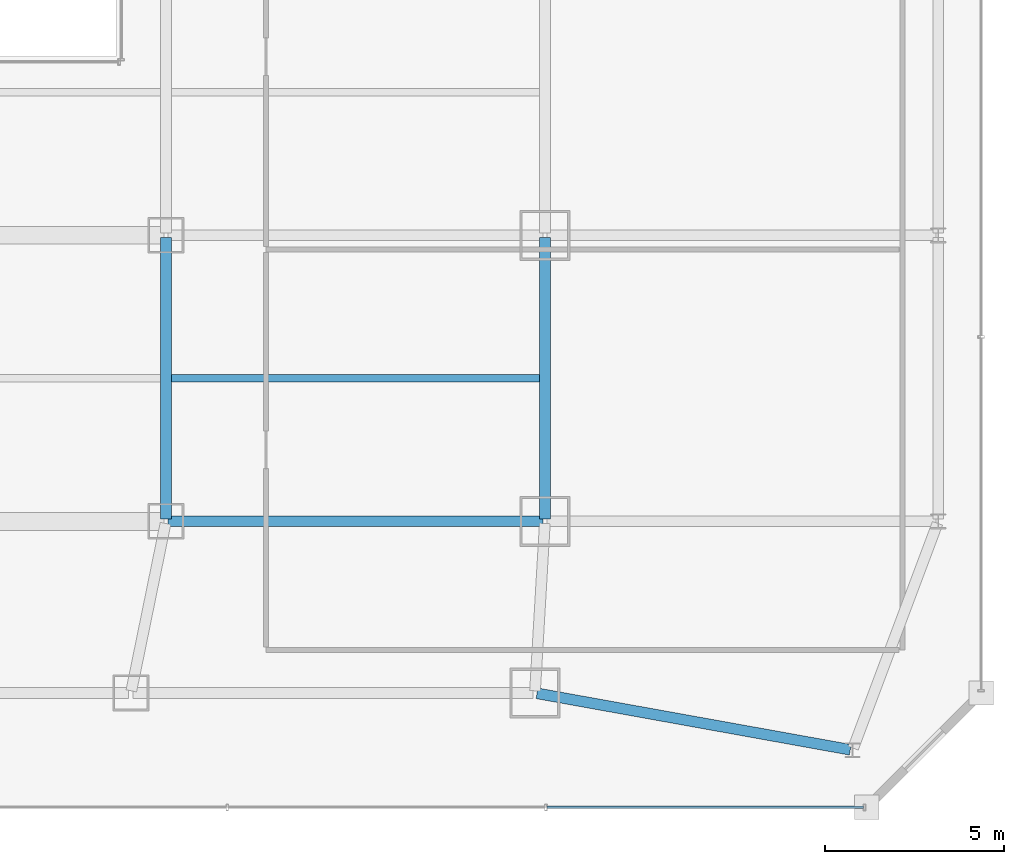
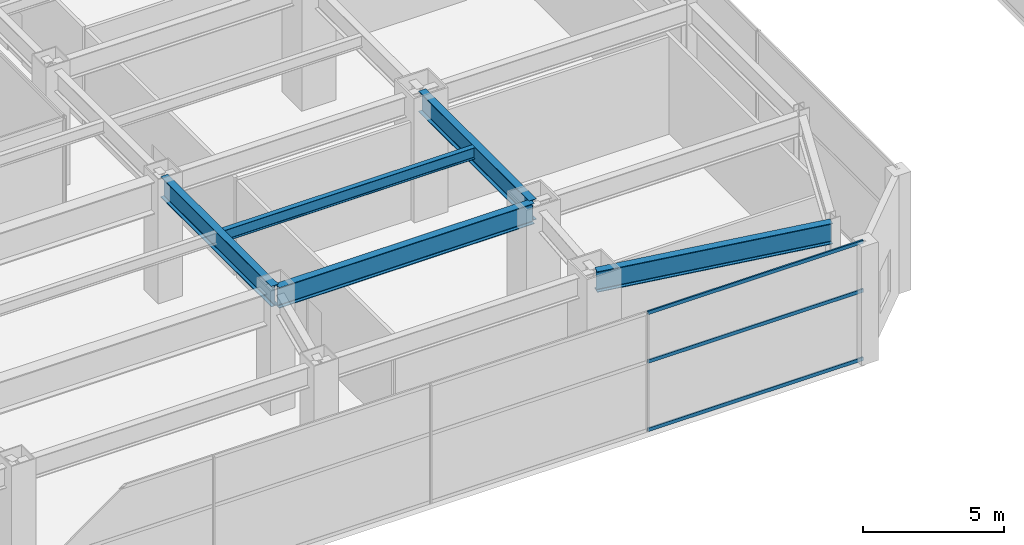
# One storey, part 16 of 53: 5 beams, 3 members, 1 element without a shape of its own.
"""IFC4 building model written with IfcOpenShell, lengths in metres."""

from ifc_helpers import new_model, si_unit, direction, frame, origin, origin_2d, place, context, subcontext, project, spatial, hollow_rectangle, i_section, extrude, material, material_profile, profile_set, type_object, element, aggregate, save


model = new_model("IFC4")

# Units and contexts
model_context = context("Model", 3, precision=1e-05, world=origin(), true_north=direction((0.0, 1.0)))
body_context = subcontext(model_context, "Body", "Model", "MODEL_VIEW")
ifc_project = project(units=[si_unit("LENGTHUNIT", "METRE"), si_unit("AREAUNIT", "SQUARE_METRE"), si_unit("VOLUMEUNIT", "CUBIC_METRE"), si_unit("PLANEANGLEUNIT", "RADIAN"), si_unit("MASSUNIT", "GRAM", prefix="KILO")], contexts=[model_context])

# Site, building, storey
site_placement = place(None, origin())
site = spatial("IfcSite", under=ifc_project, at=site_placement, CompositionType="ELEMENT")
building_placement = place(site_placement, origin())
building = spatial("IfcBuilding", under=site, at=building_placement, Name="Saevonmaru Cultural Tower", CompositionType="ELEMENT")
storey_placement = place(building_placement, frame((0.0, 0.0, 22.199951171875)))
storey = spatial("IfcBuildingStorey", under=building, at=storey_placement, Name="L04", CompositionType="ELEMENT", Elevation=22.199951171875)

# Beams
ifc_material_1 = material(Name="Steel SM420", Category="steel")
ifc_material_profile_1 = material_profile(ifc_material_1, i_section(OverallWidth=0.300048828125, OverallDepth=0.89990234375, WebThickness=0.01611328125, FlangeThickness=0.028076171875, FilletRadius=0.028076171875, at=origin_2d()), Name="H-900x300x16x28")
ifc_profile_set_1 = profile_set([ifc_material_profile_1], Name="Steel SM420")
beam_type_1 = type_object("IfcBeamType", Name="BM-G-H900", PredefinedType="BEAM", material=ifc_profile_set_1)
for number, where, z_axis, x_axis, name in (
    (1, (37.199951171875, 8.06005859375, 4.699951171875), (0.0, 1.0, 0.0), (-1.0, 0.0, 0.0), "L04 Podium Girder NS3-2"),
    (2, (47.800048828125, 8.06005859375, 4.699951171875), (0.0, 1.0, 0.0), (-1.0, 0.0, 0.0), "L04 Podium Girder NS4-2"),
):
    element("IfcBeam", number, at=place(storey_placement, frame(where, z_axis=z_axis, x_axis=x_axis)), inside=storey, type_object=beam_type_1, Name=name, PredefinedType="BEAM", context=body_context, shape_type="SweptSolid", body=[
        extrude(i_section(OverallWidth=0.300048828125, OverallDepth=0.89990234375, WebThickness=0.01611328125, FlangeThickness=0.028076171875, FilletRadius=0.028076171875, at=origin_2d()), origin(), (0.0, 0.0, 1.0), 7.8798828125),
    ])
beam_1_placement = place(storey_placement, frame((37.260009765625, 8.0, 4.699951171875), z_axis=(1.0, 0.0, 0.0), x_axis=(0.0, 1.0, 0.0)))
element("IfcBeam", 3, at=beam_1_placement, inside=storey, type_object=beam_type_1, Name="L04 Gallery Girder E-1", PredefinedType="BEAM", context=body_context, shape_type="SweptSolid", body=[
    extrude(i_section(OverallWidth=0.300048828125, OverallDepth=0.89990234375, WebThickness=0.01611328125, FlangeThickness=0.028076171875, FilletRadius=0.028076171875, at=origin_2d()), origin(), (0.0, 0.0, 1.0), 10.47998046875),
])
beam_2_placement = place(storey_placement, frame((47.5791015625, 3.189453125, 4.699951171875), z_axis=(0.984149934695, -0.177338394151, 0.0), x_axis=(0.177338394151, 0.984149934695, 0.0)))
element("IfcBeam", 4, at=beam_2_placement, inside=storey, type_object=beam_type_1, Name="BM-POD-PS-2-L04", PredefinedType="BEAM", context=body_context, shape_type="SweptSolid", body=[
    extrude(i_section(OverallWidth=0.300048828125, OverallDepth=0.89990234375, WebThickness=0.01611328125, FlangeThickness=0.028076171875, FilletRadius=0.028076171875, at=origin_2d()), origin(), (0.0, 0.0, 1.0), 8.903076171875),
])
ifc_material_2 = material(Name="Steel SM355", Category="steel")
ifc_material_profile_2 = material_profile(ifc_material_2, i_section(OverallWidth=0.199951171875, OverallDepth=0.5, WebThickness=0.010009765625, FlangeThickness=0.01611328125, FilletRadius=0.02001953125, at=origin_2d()), Name="H-500x200x10x16")
ifc_profile_set_2 = profile_set([ifc_material_profile_2], Name="Steel SM355")
beam_type_2 = type_object("IfcBeamType", Name="BM-J-H500", PredefinedType="JOIST", material=ifc_profile_set_2)
beam_3_placement = place(storey_placement, frame((37.35791015625, 12.0, 4.900146484375), z_axis=(1.0, 0.0, 0.0), x_axis=(0.0, 1.0, 0.0)))
element("IfcBeam", 5, at=beam_3_placement, inside=storey, type_object=beam_type_2, Name="L04 Secondary Floor Joist JE-1", PredefinedType="JOIST", context=body_context, shape_type="SweptSolid", body=[
    extrude(i_section(OverallWidth=0.199951171875, OverallDepth=0.5, WebThickness=0.010009765625, FlangeThickness=0.01611328125, FilletRadius=0.02001953125, at=origin_2d()), origin(), (0.0, 0.0, 1.0), 10.2841796875),
])

# Curtain wall, members
ifc_material_3 = material(Name="Satin Bronze Anodised Aluminium", Category="aluminium")
curtain_wall_type = type_object("IfcCurtainWallType", Name="CW-POD-GLZ", PredefinedType="NOTDEFINED", material=ifc_material_3)
curtain_wall_placement = place(storey_placement, origin())
curtain_wall = element("IfcCurtainWall", 6, at=curtain_wall_placement, inside=storey, type_object=curtain_wall_type, Name="L04 South Grand Foyer Curtain Wall", PredefinedType="NOTDEFINED")
ifc_material_profile_3 = material_profile(ifc_material_3, hollow_rectangle(XDim=0.06494140625, YDim=0.14990234375, WallThickness=0.00390625, at=origin_2d()), Name="ALU-TRAN-150x65x4")
ifc_profile_set_3 = profile_set([ifc_material_profile_3], Name="Satin Bronze Anodised Aluminium")
member_type = type_object("IfcMemberType", Name="TR-CW-150x65", PredefinedType="USERDEFINED", material=ifc_profile_set_3)
member_1_placement = place(storey_placement, frame((47.859130859375, 0.0, 0.032470703125), z_axis=(1.0, 0.0, 0.0), x_axis=(0.0, 1.0, 0.0)))
member_1 = element("IfcMember", 7, at=member_1_placement, type_object=member_type, Name="CW-POD-S-L04 transom 6.1", ObjectType="TRANSOM", PredefinedType="USERDEFINED", context=body_context, shape_type="SweptSolid", body=[
    extrude(hollow_rectangle(XDim=0.06494140625, YDim=0.14990234375, WallThickness=0.00390625, at=origin_2d()), origin(), (0.0, 0.0, 1.0), 8.848388671875),
])
member_2_placement = place(storey_placement, frame((47.859130859375, 0.0, 3.0), z_axis=(1.0, 0.0, 0.0), x_axis=(0.0, 1.0, 0.0)))
member_2 = element("IfcMember", 8, at=member_2_placement, type_object=member_type, Name="CW-POD-S-L04 transom 6.2", ObjectType="TRANSOM", PredefinedType="USERDEFINED", context=body_context, shape_type="SweptSolid", body=[
    extrude(hollow_rectangle(XDim=0.06494140625, YDim=0.14990234375, WallThickness=0.00390625, at=origin_2d()), origin(), (0.0, 0.0, 1.0), 8.848388671875),
])
member_3_placement = place(storey_placement, frame((47.859130859375, 0.0, 5.117431640625), z_axis=(1.0, 0.0, 0.0), x_axis=(0.0, 1.0, 0.0)))
member_3 = element("IfcMember", 9, at=member_3_placement, type_object=member_type, Name="CW-POD-S-L04 transom 6.3", ObjectType="TRANSOM", PredefinedType="USERDEFINED", context=body_context, shape_type="SweptSolid", body=[
    extrude(hollow_rectangle(XDim=0.06494140625, YDim=0.14990234375, WallThickness=0.00390625, at=origin_2d()), origin(), (0.0, 0.0, 1.0), 8.848388671875),
])
aggregate(curtain_wall, [member_1, member_2, member_3])

save(model, "model.ifc")
